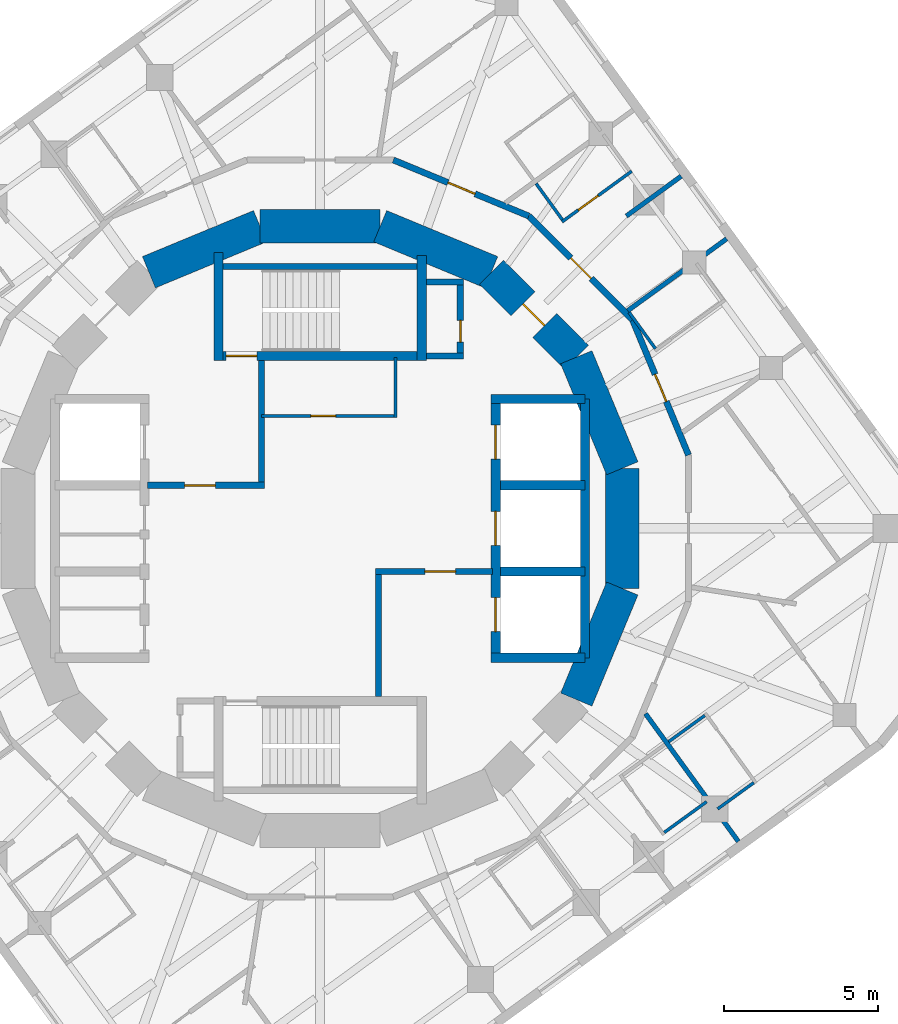
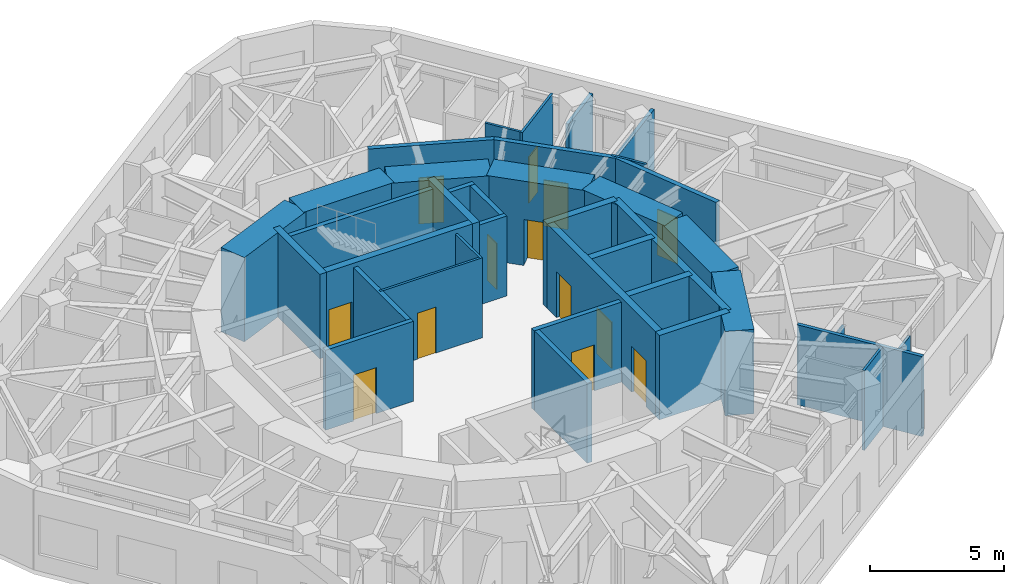
# One storey, part 6 of 9: 38 walls, 13 doors, 13 openings.
"""IFC4 building model written with IfcOpenShell, lengths in metres."""

from ifc_helpers import new_model, si_unit, direction, frame, frame_2d, origin, place, context, subcontext, project, spatial, rectangle, extrude, material, layer, layer_set, type_object, element, fill, save


model = new_model("IFC4")

# Units and contexts
model_context = context("Model", 3, precision=1e-05, world=origin(), true_north=direction((0.0, 1.0)))
body_context = subcontext(model_context, "Body", "Model", "MODEL_VIEW")
ifc_project = project(units=[si_unit("LENGTHUNIT", "METRE"), si_unit("AREAUNIT", "SQUARE_METRE"), si_unit("VOLUMEUNIT", "CUBIC_METRE"), si_unit("PLANEANGLEUNIT", "RADIAN"), si_unit("MASSUNIT", "GRAM", prefix="KILO")], contexts=[model_context])

# Site, building, storey
site_placement = place(None, origin())
site = spatial("IfcSite", under=ifc_project, at=site_placement, CompositionType="ELEMENT")
building_placement = place(site_placement, origin())
building = spatial("IfcBuilding", under=site, at=building_placement, Name="Nakasero Lantern House", CompositionType="ELEMENT")
storey_placement = place(building_placement, frame((0.0, 0.0, 294.550048828125)))
storey = spatial("IfcBuildingStorey", under=building, at=storey_placement, Name="L72", CompositionType="ELEMENT", Elevation=294.550048828125)

# Wall, openings, doors
ifc_material_1 = material(Name="Concrete C50/60", Category="concrete")
ifc_layer_1 = layer(ifc_material_1, 0.300048828125)
ifc_layer_set_1 = layer_set([ifc_layer_1], Name="Core inner wall 300")
wall_type_1 = type_object("IfcWallType", Name="Core inner wall 300", PredefinedType="SHEAR", material=ifc_layer_set_1)
wall_1_placement = place(storey_placement, frame((5.699951171875, -4.199951171875, 0.0), z_axis=(0.0, 0.0, 1.0), x_axis=(0.0, 1.0, 0.0)))
wall_1 = element("IfcWall", 1, at=wall_1_placement, inside=storey, type_object=wall_type_1, Name="Core inner wall L72 LE", PredefinedType="SHEAR", context=body_context, shape_type="SweptSolid", body=[
    extrude(rectangle(XDim=8.39990234375, YDim=0.300048828125, at=frame_2d((4.199951171875, 0.0))), origin(), (0.0, 0.0, 1.0), 3.849853515625),
])
opening_1_placement = place(wall_1_placement, frame((0.85009765625, 0.0, 0.0)))
opening_1 = element("IfcOpeningElement", 2, at=opening_1_placement, cuts=wall_1, Name="Opening LD", PredefinedType="OPENING", context=body_context, shape_type="SweptSolid", body=[
    extrude(rectangle(XDim=1.10009765625, YDim=2.10009765625, at=frame_2d((0.550048828125, 1.050048828125))), frame((0.0, 0.169921875, 0.0), z_axis=(0.0, -1.0, 0.0), x_axis=(1.0, 0.0, 0.0)), (0.0, 0.0, 1.0), 0.340087890625),
])
opening_2_placement = place(wall_1_placement, frame((3.64990234375, 0.0, 0.0)))
opening_2 = element("IfcOpeningElement", 3, at=opening_2_placement, cuts=wall_1, Name="Opening LD", PredefinedType="OPENING", context=body_context, shape_type="SweptSolid", body=[
    extrude(rectangle(XDim=1.10009765625, YDim=2.10009765625, at=frame_2d((0.550048828125, 1.050048828125))), frame((0.0, 0.169921875, 0.0), z_axis=(0.0, -1.0, 0.0), x_axis=(1.0, 0.0, 0.0)), (0.0, 0.0, 1.0), 0.340087890625),
])
opening_3_placement = place(wall_1_placement, frame((6.449951171875, 0.0, 0.0)))
opening_3 = element("IfcOpeningElement", 4, at=opening_3_placement, cuts=wall_1, Name="Opening LD", PredefinedType="OPENING", context=body_context, shape_type="SweptSolid", body=[
    extrude(rectangle(XDim=1.10009765625, YDim=2.10009765625, at=frame_2d((0.550048828125, 1.050048828125))), frame((0.0, 0.169921875, 0.0), z_axis=(0.0, -1.0, 0.0), x_axis=(1.0, 0.0, 0.0)), (0.0, 0.0, 1.0), 0.340087890625),
])
ifc_material_2 = material(Name="Steel S355", Category="steel")
door_type_1 = type_object("IfcDoorType", Name="Lift landing door E120 1100", OperationType="SLIDING_TO_LEFT", PredefinedType="DOOR", material=ifc_material_2)
door_1_placement = place(opening_1_placement, origin())
door_1 = element("IfcDoor", 5, at=door_1_placement, inside=storey, type_object=door_type_1, Name="Lift landing door LE1", OperationType="SLIDING_TO_LEFT", OverallHeight=2.10009765625, OverallWidth=1.10009765625, PredefinedType="DOOR", context=body_context, shape_type="SweptSolid", body=[
    extrude(rectangle(XDim=1.10009765625, YDim=2.10009765625, at=frame_2d((0.550048828125, 1.050048828125))), frame((0.0, 0.02490234375, 0.0), z_axis=(0.0, -1.0, 0.0), x_axis=(1.0, 0.0, 0.0)), (0.0, 0.0, 1.0), 0.050048828125),
])
fill(opening_1, door_1)
door_2_placement = place(opening_2_placement, origin())
door_2 = element("IfcDoor", 6, at=door_2_placement, inside=storey, type_object=door_type_1, Name="Lift landing door LE2", OperationType="SLIDING_TO_LEFT", OverallHeight=2.10009765625, OverallWidth=1.10009765625, PredefinedType="DOOR", context=body_context, shape_type="SweptSolid", body=[
    extrude(rectangle(XDim=1.10009765625, YDim=2.10009765625, at=frame_2d((0.550048828125, 1.050048828125))), frame((0.0, 0.02490234375, 0.0), z_axis=(0.0, -1.0, 0.0), x_axis=(1.0, 0.0, 0.0)), (0.0, 0.0, 1.0), 0.050048828125),
])
fill(opening_2, door_2)
door_3_placement = place(opening_3_placement, origin())
door_3 = element("IfcDoor", 7, at=door_3_placement, inside=storey, type_object=door_type_1, Name="Lift landing door LE3", OperationType="SLIDING_TO_LEFT", OverallHeight=2.10009765625, OverallWidth=1.10009765625, PredefinedType="DOOR", context=body_context, shape_type="SweptSolid", body=[
    extrude(rectangle(XDim=1.10009765625, YDim=2.10009765625, at=frame_2d((0.550048828125, 1.050048828125))), frame((0.0, 0.02490234375, 0.0), z_axis=(0.0, -1.0, 0.0), x_axis=(1.0, 0.0, 0.0)), (0.0, 0.0, 1.0), 0.050048828125),
])
fill(opening_3, door_3)

# Walls
for number, where, z_axis, x_axis, name in (
    (8, (5.550048828125, 4.199951171875, 0.0), (0.0, 0.0, 1.0), (1.0, 0.0, 0.0), "Core inner wall L72 LEN"),
    (9, (5.550048828125, -4.199951171875, 0.0), (0.0, 0.0, 1.0), (1.0, 0.0, 0.0), "Core inner wall L72 LES"),
):
    element("IfcWall", number, at=place(storey_placement, frame(where, z_axis=z_axis, x_axis=x_axis)), inside=storey, type_object=wall_type_1, Name=name, PredefinedType="SHEAR", context=body_context, shape_type="SweptSolid", body=[
        extrude(rectangle(XDim=3.050048828125, YDim=0.300048828125, at=frame_2d((1.52490234375, 0.0))), origin(), (0.0, 0.0, 1.0), 3.849853515625),
    ])
wall_2_placement = place(storey_placement, frame((8.60009765625, -4.199951171875, 0.0), z_axis=(0.0, 0.0, 1.0), x_axis=(0.0, 1.0, 0.0)))
element("IfcWall", 10, at=wall_2_placement, inside=storey, type_object=wall_type_1, Name="Core inner wall L72 LEB", PredefinedType="SHEAR", context=body_context, shape_type="SweptSolid", body=[
    extrude(rectangle(XDim=8.39990234375, YDim=0.300048828125, at=frame_2d((4.199951171875, 0.0))), origin(), (0.0, 0.0, 1.0), 3.849853515625),
])
for number, where, z_axis, x_axis, name in (
    (11, (5.85009765625, -1.39990234375, 0.0), (0.0, 0.0, 1.0), (1.0, 0.0, 0.0), "Core inner wall L72 LE1"),
    (12, (5.85009765625, 1.39990234375, 0.0), (0.0, 0.0, 1.0), (1.0, 0.0, 0.0), "Core inner wall L72 LE2"),
):
    element("IfcWall", number, at=place(storey_placement, frame(where, z_axis=z_axis, x_axis=x_axis)), inside=storey, type_object=wall_type_1, Name=name, PredefinedType="SHEAR", context=body_context, shape_type="SweptSolid", body=[
        extrude(rectangle(XDim=2.75, YDim=0.300048828125, at=frame_2d((1.375, 0.0))), origin(), (0.0, 0.0, 1.0), 3.849853515625),
    ])

# Wall, opening, door
wall_3_placement = place(storey_placement, frame((-3.449951171875, 5.60009765625, 0.0), z_axis=(0.0, 0.0, 1.0), x_axis=(1.0, 0.0, 0.0)))
wall_3 = element("IfcWall", 13, at=wall_3_placement, inside=storey, type_object=wall_type_1, Name="Core inner wall L72 SN", PredefinedType="SHEAR", context=body_context, shape_type="SweptSolid", body=[
    extrude(rectangle(XDim=6.89990234375, YDim=0.300048828125, at=frame_2d((3.449951171875, 0.0))), origin(), (0.0, 0.0, 1.0), 3.849853515625),
])
opening_4_placement = place(wall_3_placement, frame((0.39990234375, 0.0, 0.0)))
opening_4 = element("IfcOpeningElement", 14, at=opening_4_placement, cuts=wall_3, Name="Opening D05", PredefinedType="OPENING", context=body_context, shape_type="SweptSolid", body=[
    extrude(rectangle(XDim=1.0, YDim=2.10009765625, at=frame_2d((0.5, 1.050048828125))), frame((0.0, 0.169921875, 0.0), z_axis=(0.0, -1.0, 0.0), x_axis=(1.0, 0.0, 0.0)), (0.0, 0.0, 1.0), 0.340087890625),
])
ifc_material_3 = material(Name="Timber C24", Category="wood")
door_type_2 = type_object("IfcDoorType", Name="Core door FD60S 1000", OperationType="SINGLE_SWING_LEFT", PredefinedType="DOOR", material=ifc_material_3)
door_4_placement = place(opening_4_placement, origin())
door_4 = element("IfcDoor", 15, at=door_4_placement, inside=storey, type_object=door_type_2, Name="Door L72 D-ST1", OperationType="SINGLE_SWING_LEFT", OverallHeight=2.10009765625, OverallWidth=1.0, PredefinedType="DOOR", context=body_context, shape_type="SweptSolid", body=[
    extrude(rectangle(XDim=1.0, YDim=2.10009765625, at=frame_2d((0.5, 1.050048828125))), frame((0.0, 0.02490234375, 0.0), z_axis=(0.0, -1.0, 0.0), x_axis=(1.0, 0.0, 0.0)), (0.0, 0.0, 1.0), 0.050048828125),
])
fill(opening_4, door_4)

# Walls
wall_4_placement = place(storey_placement, frame((-3.300048828125, 5.449951171875, 0.0), z_axis=(0.0, 0.0, 1.0), x_axis=(0.0, 1.0, 0.0)))
element("IfcWall", 16, at=wall_4_placement, inside=storey, type_object=wall_type_1, Name="Core inner wall L72 SNW", PredefinedType="SHEAR", context=body_context, shape_type="SweptSolid", body=[
    extrude(rectangle(XDim=3.5, YDim=0.300048828125, at=frame_2d((1.75, 0.0))), origin(), (0.0, 0.0, 1.0), 3.849853515625),
])
wall_5_placement = place(storey_placement, frame((3.300048828125, 5.449951171875, 0.0), z_axis=(0.0, 0.0, 1.0), x_axis=(0.0, 1.0, 0.0)))
element("IfcWall", 17, at=wall_5_placement, inside=storey, type_object=wall_type_1, Name="Core inner wall L72 SNE", PredefinedType="SHEAR", context=body_context, shape_type="SweptSolid", body=[
    extrude(rectangle(XDim=3.400146484375, YDim=0.300048828125, at=frame_2d((1.7001953125, 0.0))), origin(), (0.0, 0.0, 1.0), 3.849853515625),
])

# Wall, opening, door
ifc_material_4 = material(Name="Blockwork", Category="masonry")
ifc_layer_2 = layer(ifc_material_4, 0.10009765625)
ifc_layer_set_2 = layer_set([ifc_layer_2], Name="Core room wall 100")
wall_type_2 = type_object("IfcWallType", Name="Core room wall 100", PredefinedType="PARTITIONING", material=ifc_layer_set_2)
wall_6_placement = place(storey_placement, frame((-1.89990234375, 3.64990234375, 0.0), z_axis=(0.0, 0.0, 1.0), x_axis=(1.0, 0.0, 0.0)))
wall_6 = element("IfcWall", 18, at=wall_6_placement, inside=storey, type_object=wall_type_2, Name="Core room wall L72 CR-NES", PredefinedType="PARTITIONING", context=body_context, shape_type="SweptSolid", body=[
    extrude(rectangle(XDim=4.39990234375, YDim=0.10009765625, at=frame_2d((2.199951171875, 0.0))), origin(), (0.0, 0.0, 1.0), 3.64990234375),
])
opening_5_placement = place(wall_6_placement, frame((1.60009765625, 0.0, 0.0)))
opening_5 = element("IfcOpeningElement", 19, at=opening_5_placement, cuts=wall_6, Name="Opening D15", PredefinedType="OPENING", context=body_context, shape_type="SweptSolid", body=[
    extrude(rectangle(XDim=0.800048828125, YDim=2.10009765625, at=frame_2d((0.39990234375, 1.050048828125))), frame((0.0, 0.070068359375, 0.0), z_axis=(0.0, -1.0, 0.0), x_axis=(1.0, 0.0, 0.0)), (0.0, 0.0, 1.0), 0.14013671875),
])
ifc_material_5 = material(Name="Timber C24", Category="wood")
door_type_3 = type_object("IfcDoorType", Name="Cleaner's store door FD30S 800", OperationType="SINGLE_SWING_LEFT", PredefinedType="DOOR", material=ifc_material_5)
door_5_placement = place(opening_5_placement, origin())
door_5 = element("IfcDoor", 20, at=door_5_placement, inside=storey, type_object=door_type_3, Name="Door L72 D-CR-NE", OperationType="SINGLE_SWING_LEFT", OverallHeight=2.10009765625, OverallWidth=0.800048828125, PredefinedType="DOOR", context=body_context, shape_type="SweptSolid", body=[
    extrude(rectangle(XDim=0.800048828125, YDim=2.10009765625, at=frame_2d((0.39990234375, 1.050048828125))), frame((0.0, 0.02490234375, 0.0), z_axis=(0.0, -1.0, 0.0), x_axis=(1.0, 0.0, 0.0)), (0.0, 0.0, 1.0), 0.050048828125),
])
fill(opening_5, door_5)

# Walls
wall_7_placement = place(storey_placement, frame((2.449951171875, 3.60009765625, 0.0), z_axis=(0.0, 0.0, 1.0), x_axis=(0.0, 1.0, 0.0)))
element("IfcWall", 21, at=wall_7_placement, inside=storey, type_object=wall_type_2, Name="Core room wall L72 CR-NEE", PredefinedType="PARTITIONING", context=body_context, shape_type="SweptSolid", body=[
    extrude(rectangle(XDim=1.949951171875, YDim=0.10009765625, at=frame_2d((0.97509765625, 0.0))), origin(), (0.0, 0.0, 1.0), 3.64990234375),
])
ifc_material_6 = material(Name="Concrete C50/60", Category="concrete")
ifc_layer_3 = layer(ifc_material_6, 1.10009765625)
ifc_layer_set_3 = layer_set([ifc_layer_3], Name="Core wall 1100")
wall_type_3 = type_object("IfcWallType", Name="Core wall 1100", PredefinedType="SHEAR", material=ifc_layer_set_3)
wall_8_placement = place(storey_placement, frame((9.807861328125, 1.950927734375, 0.0), z_axis=(0.0, 0.0, 1.0), x_axis=(-0.382690736062, 0.923876507187, 0.0)))
element("IfcWall", 22, at=wall_8_placement, inside=storey, type_object=wall_type_3, Name="Core wall L72 facet 1", PredefinedType="SHEAR", context=body_context, shape_type="SweptSolid", body=[
    extrude(rectangle(XDim=3.90185546875, YDim=1.10009765625, at=frame_2d((1.950927734375, 0.0))), origin(), (0.0, 0.0, 1.0), 3.849853515625),
])

# Wall, opening, door
wall_9_placement = place(storey_placement, frame((8.314697265625, 5.5556640625, 0.0), z_axis=(0.0, 0.0, 1.0), x_axis=(-0.707106781187, 0.707106781187, 0.0)))
wall_9 = element("IfcWall", 23, at=wall_9_placement, inside=storey, type_object=wall_type_3, Name="Core wall L72 facet 2", PredefinedType="SHEAR", context=body_context, shape_type="SweptSolid", body=[
    extrude(rectangle(XDim=3.90185546875, YDim=1.10009765625, at=frame_2d((1.950927734375, 0.0))), origin(), (0.0, 0.0, 1.0), 3.849853515625),
])
opening_6_placement = place(wall_9_placement, frame((1.450927734375, 0.0, 0.0)))
opening_6 = element("IfcOpeningElement", 24, at=opening_6_placement, cuts=wall_9, Name="Opening D05", PredefinedType="OPENING", context=body_context, shape_type="SweptSolid", body=[
    extrude(rectangle(XDim=1.0, YDim=2.10009765625, at=frame_2d((0.5, 1.050048828125))), frame((0.0, 0.570068359375, 0.0), z_axis=(0.0, -1.0, 0.0), x_axis=(1.0, 0.0, 0.0)), (0.0, 0.0, 1.0), 1.14013671875),
])
door_6_placement = place(opening_6_placement, origin())
door_6 = element("IfcDoor", 25, at=door_6_placement, inside=storey, type_object=door_type_2, Name="Door L72 D-CORE02", OperationType="SINGLE_SWING_LEFT", OverallHeight=2.10009765625, OverallWidth=1.0, PredefinedType="DOOR", context=body_context, shape_type="SweptSolid", body=[
    extrude(rectangle(XDim=1.0, YDim=2.10009765625, at=frame_2d((0.5, 1.050048828125))), frame((0.0, 0.02490234375, 0.0), z_axis=(0.0, -1.0, 0.0), x_axis=(1.0, 0.0, 0.0)), (0.0, 0.0, 1.0), 0.050048828125),
])
fill(opening_6, door_6)

# Walls
for number, where, z_axis, x_axis, name in (
    (26, (5.5556640625, 8.314697265625, 0.0), (0.0, 0.0, 1.0), (-0.923876507187, 0.382690736062, 0.0), "Core wall L72 facet 3"),
    (27, (1.950927734375, 9.807861328125, 0.0), (0.0, 0.0, 1.0), (-1.0, 0.0, 0.0), "Core wall L72 facet 4"),
    (28, (-1.950927734375, 9.807861328125, 0.0), (0.0, 0.0, 1.0), (-0.923876507187, -0.382690736062, 0.0), "Core wall L72 facet 5"),
    (29, (8.314697265625, -5.5556640625, 0.0), (0.0, 0.0, 1.0), (0.382690736062, 0.923876507187, 0.0), "Core wall L72 facet 15"),
    (30, (9.807861328125, -1.950927734375, 0.0), (0.0, 0.0, 1.0), (0.0, 1.0, 0.0), "Core wall L72 facet 16"),
):
    element("IfcWall", number, at=place(storey_placement, frame(where, z_axis=z_axis, x_axis=x_axis)), inside=storey, type_object=wall_type_3, Name=name, PredefinedType="SHEAR", context=body_context, shape_type="SweptSolid", body=[
        extrude(rectangle(XDim=3.90185546875, YDim=1.10009765625, at=frame_2d((1.950927734375, 0.0))), origin(), (0.0, 0.0, 1.0), 3.849853515625),
    ])

# Wall, opening, door
ifc_material_7 = material(Name="Blockwork", Category="masonry")
ifc_layer_4 = layer(ifc_material_7, 0.199951171875)
ifc_layer_set_4 = layer_set([ifc_layer_4], Name="Corridor wall 200")
wall_type_4 = type_object("IfcWallType", Name="Corridor wall 200", PredefinedType="PARTITIONING", material=ifc_layer_set_4)
wall_10_placement = place(storey_placement, frame((2.378662109375, 11.957763671875, 0.0), z_axis=(0.0, 0.0, 1.0), x_axis=(0.923891735412, -0.382653970627, 0.0)))
wall_10 = element("IfcWall", 31, at=wall_10_placement, inside=storey, type_object=wall_type_4, Name="Corridor wall L72 RC13a", PredefinedType="PARTITIONING", context=body_context, shape_type="SweptSolid", body=[
    extrude(rectangle(XDim=4.757080078125, YDim=0.199951171875, at=frame_2d((2.37841796875, 0.0))), origin(), (0.0, 0.0, 1.0), 3.64990234375),
])
opening_7_placement = place(wall_10_placement, frame((1.919921875, 0.0, 0.0)))
opening_7 = element("IfcOpeningElement", 32, at=opening_7_placement, cuts=wall_10, Name="Opening D01", PredefinedType="OPENING", context=body_context, shape_type="SweptSolid", body=[
    extrude(rectangle(XDim=0.949951171875, YDim=2.10009765625, at=frame_2d((0.47509765625, 1.050048828125))), frame((0.0, 0.119873046875, 0.0), z_axis=(0.0, -1.0, 0.0), x_axis=(1.0, 0.0, 0.0)), (0.0, 0.0, 1.0), 0.239990234375),
])
ifc_material_8 = material(Name="Timber C24", Category="wood")
door_type_4 = type_object("IfcDoorType", Name="Bedroom door FD30S 950", OperationType="SINGLE_SWING_LEFT", PredefinedType="DOOR", material=ifc_material_8)
door_7_placement = place(opening_7_placement, origin())
door_7 = element("IfcDoor", 33, at=door_7_placement, inside=storey, type_object=door_type_4, Name="Door L72 D0-06", OperationType="SINGLE_SWING_RIGHT", OverallHeight=2.10009765625, OverallWidth=0.949951171875, PredefinedType="DOOR", context=body_context, shape_type="SweptSolid", body=[
    extrude(rectangle(XDim=0.949951171875, YDim=2.10009765625, at=frame_2d((0.47509765625, 1.050048828125))), frame((0.0, 0.02490234375, 0.0), z_axis=(0.0, -1.0, 0.0), x_axis=(1.0, 0.0, 0.0)), (0.0, 0.0, 1.0), 0.050048828125),
])
fill(opening_7, door_7)

wall_11_placement = place(storey_placement, frame((6.773681640625, 10.137451171875, 0.0), z_axis=(0.0, 0.0, 1.0), x_axis=(0.707106781187, -0.707106781187, 0.0)))
wall_11 = element("IfcWall", 34, at=wall_11_placement, inside=storey, type_object=wall_type_4, Name="Corridor wall L72 RC14a", PredefinedType="PARTITIONING", context=body_context, shape_type="SweptSolid", body=[
    extrude(rectangle(XDim=4.757080078125, YDim=0.199951171875, at=frame_2d((2.37841796875, 0.0))), origin(), (0.0, 0.0, 1.0), 3.64990234375),
])
opening_8_placement = place(wall_11_placement, frame((1.919921875, 0.0, 0.0)))
opening_8 = element("IfcOpeningElement", 35, at=opening_8_placement, cuts=wall_11, Name="Opening D01", PredefinedType="OPENING", context=body_context, shape_type="SweptSolid", body=[
    extrude(rectangle(XDim=0.949951171875, YDim=2.10009765625, at=frame_2d((0.47509765625, 1.050048828125))), frame((0.0, 0.119873046875, 0.0), z_axis=(0.0, -1.0, 0.0), x_axis=(1.0, 0.0, 0.0)), (0.0, 0.0, 1.0), 0.239990234375),
])
door_8_placement = place(opening_8_placement, origin())
door_8 = element("IfcDoor", 36, at=door_8_placement, inside=storey, type_object=door_type_4, Name="Door L72 D0-04", OperationType="SINGLE_SWING_RIGHT", OverallHeight=2.10009765625, OverallWidth=0.949951171875, PredefinedType="DOOR", context=body_context, shape_type="SweptSolid", body=[
    extrude(rectangle(XDim=0.949951171875, YDim=2.10009765625, at=frame_2d((0.47509765625, 1.050048828125))), frame((0.0, 0.02490234375, 0.0), z_axis=(0.0, -1.0, 0.0), x_axis=(1.0, 0.0, 0.0)), (0.0, 0.0, 1.0), 0.050048828125),
])
fill(opening_8, door_8)

wall_12_placement = place(storey_placement, frame((10.137451171875, 6.773681640625, 0.0), z_axis=(0.0, 0.0, 1.0), x_axis=(0.382653970627, -0.923891735412, 0.0)))
wall_12 = element("IfcWall", 37, at=wall_12_placement, inside=storey, type_object=wall_type_4, Name="Corridor wall L72 RC15a", PredefinedType="PARTITIONING", context=body_context, shape_type="SweptSolid", body=[
    extrude(rectangle(XDim=4.757080078125, YDim=0.199951171875, at=frame_2d((2.37841796875, 0.0))), origin(), (0.0, 0.0, 1.0), 3.64990234375),
])
opening_9_placement = place(wall_12_placement, frame((1.919921875, 0.0, 0.0)))
opening_9 = element("IfcOpeningElement", 38, at=opening_9_placement, cuts=wall_12, Name="Opening D01", PredefinedType="OPENING", context=body_context, shape_type="SweptSolid", body=[
    extrude(rectangle(XDim=0.949951171875, YDim=2.10009765625, at=frame_2d((0.47509765625, 1.050048828125))), frame((0.0, 0.119873046875, 0.0), z_axis=(0.0, -1.0, 0.0), x_axis=(1.0, 0.0, 0.0)), (0.0, 0.0, 1.0), 0.239990234375),
])
door_9_placement = place(opening_9_placement, origin())
door_9 = element("IfcDoor", 39, at=door_9_placement, inside=storey, type_object=door_type_4, Name="Door L72 D0-03", OperationType="SINGLE_SWING_RIGHT", OverallHeight=2.10009765625, OverallWidth=0.949951171875, PredefinedType="DOOR", context=body_context, shape_type="SweptSolid", body=[
    extrude(rectangle(XDim=0.949951171875, YDim=2.10009765625, at=frame_2d((0.47509765625, 1.050048828125))), frame((0.0, 0.02490234375, 0.0), z_axis=(0.0, -1.0, 0.0), x_axis=(1.0, 0.0, 0.0)), (0.0, 0.0, 1.0), 0.050048828125),
])
fill(opening_9, door_9)

# Wall
ifc_material_9 = material(Name="Blockwork", Category="masonry")
ifc_layer_5 = layer(ifc_material_9, 0.10009765625)
ifc_layer_set_5 = layer_set([ifc_layer_5], Name="En-suite wall 100")
wall_type_5 = type_object("IfcWallType", Name="En-suite wall 100", PredefinedType="PARTITIONING", material=ifc_layer_set_5)
wall_13_placement = place(storey_placement, frame((10.883544921875, 5.8349609375, 0.0), z_axis=(0.0, 0.0, 1.0), x_axis=(-0.587781191743, 0.809019944521, 0.0)))
element("IfcWall", 40, at=wall_13_placement, inside=storey, type_object=wall_type_5, Name="En-suite wall L72 EI0-03", PredefinedType="PARTITIONING", context=body_context, shape_type="SweptSolid", body=[
    extrude(rectangle(XDim=1.449951171875, YDim=0.10009765625, at=frame_2d((0.72509765625, 0.0))), origin(), (0.0, 0.0, 1.0), 3.64990234375),
])

# Wall, opening, door
wall_14_placement = place(storey_placement, frame((7.851318359375, 9.949462890625, 0.0), z_axis=(0.0, 0.0, 1.0), x_axis=(0.809011254605, 0.587793152327, 0.0)))
wall_14 = element("IfcWall", 41, at=wall_14_placement, inside=storey, type_object=wall_type_5, Name="En-suite wall L72 ES0-04", PredefinedType="PARTITIONING", context=body_context, shape_type="SweptSolid", body=[
    extrude(rectangle(XDim=2.7998046875, YDim=0.10009765625, at=frame_2d((1.39990234375, 0.0))), origin(), (0.0, 0.0, 1.0), 3.64990234375),
])
opening_10_placement = place(wall_14_placement, frame((0.64990234375, 0.0, 0.0)))
opening_10 = element("IfcOpeningElement", 42, at=opening_10_placement, cuts=wall_14, Name="Opening D02", PredefinedType="OPENING", context=body_context, shape_type="SweptSolid", body=[
    extrude(rectangle(XDim=0.800048828125, YDim=2.10009765625, at=frame_2d((0.39990234375, 1.050048828125))), frame((0.0, 0.070068359375, 0.0), z_axis=(0.0, -1.0, 0.0), x_axis=(1.0, 0.0, 0.0)), (0.0, 0.0, 1.0), 0.14013671875),
])
ifc_material_10 = material(Name="Timber C24", Category="wood")
door_type_5 = type_object("IfcDoorType", Name="En-suite door 800", OperationType="SINGLE_SWING_RIGHT", PredefinedType="DOOR", material=ifc_material_10)
door_10_placement = place(opening_10_placement, origin())
door_10 = element("IfcDoor", 43, at=door_10_placement, inside=storey, type_object=door_type_5, Name="Door L72 DE0-04", OperationType="SINGLE_SWING_LEFT", OverallHeight=2.10009765625, OverallWidth=0.800048828125, PredefinedType="DOOR", context=body_context, shape_type="SweptSolid", body=[
    extrude(rectangle(XDim=0.800048828125, YDim=2.10009765625, at=frame_2d((0.39990234375, 1.050048828125))), frame((0.0, 0.02490234375, 0.0), z_axis=(0.0, -1.0, 0.0), x_axis=(1.0, 0.0, 0.0)), (0.0, 0.0, 1.0), 0.050048828125),
])
fill(opening_10, door_10)

# Walls
wall_15_placement = place(storey_placement, frame((7.8623046875, 10.019287109375, 0.0), z_axis=(0.0, 0.0, 1.0), x_axis=(-0.587781191743, 0.809019944521, 0.0)))
element("IfcWall", 44, at=wall_15_placement, inside=storey, type_object=wall_type_5, Name="En-suite wall L72 EI0-04", PredefinedType="PARTITIONING", context=body_context, shape_type="SweptSolid", body=[
    extrude(rectangle(XDim=1.449951171875, YDim=0.10009765625, at=frame_2d((0.72509765625, 0.0))), origin(), (0.0, 0.0, 1.0), 3.64990234375),
])
wall_16_placement = place(storey_placement, frame((11.1689453125, -9.8701171875, 0.0), z_axis=(0.0, 0.0, 1.0), x_axis=(0.809040252033, 0.58775323954, 0.0)))
element("IfcWall", 45, at=wall_16_placement, inside=storey, type_object=wall_type_5, Name="En-suite wall L72 EE3-04", PredefinedType="PARTITIONING", context=body_context, shape_type="SweptSolid", body=[
    extrude(rectangle(XDim=1.7001953125, YDim=0.10009765625, at=frame_2d((0.85009765625, 0.0))), origin(), (0.0, 0.0, 1.0), 3.64990234375),
])
wall_17_placement = place(storey_placement, frame((12.90087890625, -9.106201171875, 0.0), z_axis=(0.0, 0.0, 1.0), x_axis=(0.809019944521, 0.587781191743, 0.0)))
element("IfcWall", 46, at=wall_17_placement, inside=storey, type_object=wall_type_5, Name="En-suite wall L72 EE3-06", PredefinedType="PARTITIONING", context=body_context, shape_type="SweptSolid", body=[
    extrude(rectangle(XDim=1.449951171875, YDim=0.10009765625, at=frame_2d((0.72509765625, 0.0))), origin(), (0.0, 0.0, 1.0), 3.24365234375),
])
wall_18_placement = place(storey_placement, frame((11.313720703125, -6.921875, 0.0), z_axis=(0.0, 0.0, 1.0), x_axis=(0.809019944521, 0.587781191743, 0.0)))
element("IfcWall", 47, at=wall_18_placement, inside=storey, type_object=wall_type_5, Name="En-suite wall L72 EI3-06", PredefinedType="PARTITIONING", context=body_context, shape_type="SweptSolid", body=[
    extrude(rectangle(XDim=1.449951171875, YDim=0.10009765625, at=frame_2d((0.72509765625, 0.0))), origin(), (0.0, 0.0, 1.0), 2.966552734375),
])

# Wall, opening, door
ifc_material_11 = material(Name="Blockwork", Category="masonry")
ifc_layer_6 = layer(ifc_material_11, 0.199951171875)
ifc_layer_set_6 = layer_set([ifc_layer_6], Name="Fire lobby wall 200")
wall_type_6 = type_object("IfcWallType", Name="Fire lobby wall 200", PredefinedType="PARTITIONING", material=ifc_layer_set_6)
wall_19_placement = place(storey_placement, frame((-5.60009765625, 1.39990234375, 0.0), z_axis=(0.0, 0.0, 1.0), x_axis=(1.0, 0.0, 0.0)))
wall_19 = element("IfcWall", 48, at=wall_19_placement, inside=storey, type_object=wall_type_6, Name="Fire lobby wall L72 W-FL1S", PredefinedType="PARTITIONING", context=body_context, shape_type="SweptSolid", body=[
    extrude(rectangle(XDim=3.800048828125, YDim=0.199951171875, at=frame_2d((1.89990234375, 0.0))), origin(), (0.0, 0.0, 1.0), 3.64990234375),
])
opening_11_placement = place(wall_19_placement, frame((1.199951171875, 0.0, 0.0)))
opening_11 = element("IfcOpeningElement", 49, at=opening_11_placement, cuts=wall_19, Name="Opening D05", PredefinedType="OPENING", context=body_context, shape_type="SweptSolid", body=[
    extrude(rectangle(XDim=1.0, YDim=2.10009765625, at=frame_2d((0.5, 1.050048828125))), frame((0.0, 0.119873046875, 0.0), z_axis=(0.0, -1.0, 0.0), x_axis=(1.0, 0.0, 0.0)), (0.0, 0.0, 1.0), 0.239990234375),
])
door_11_placement = place(opening_11_placement, origin())
door_11 = element("IfcDoor", 50, at=door_11_placement, inside=storey, type_object=door_type_2, Name="Door L72 D-FL1", OperationType="SINGLE_SWING_LEFT", OverallHeight=2.10009765625, OverallWidth=1.0, PredefinedType="DOOR", context=body_context, shape_type="SweptSolid", body=[
    extrude(rectangle(XDim=1.0, YDim=2.10009765625, at=frame_2d((0.5, 1.050048828125))), frame((0.0, 0.02490234375, 0.0), z_axis=(0.0, -1.0, 0.0), x_axis=(1.0, 0.0, 0.0)), (0.0, 0.0, 1.0), 0.050048828125),
])
fill(opening_11, door_11)

# Wall
wall_20_placement = place(storey_placement, frame((-1.89990234375, 1.5, 0.0), z_axis=(0.0, 0.0, 1.0), x_axis=(0.0, 1.0, 0.0)))
element("IfcWall", 51, at=wall_20_placement, inside=storey, type_object=wall_type_6, Name="Fire lobby wall L72 W-FL1E", PredefinedType="PARTITIONING", context=body_context, shape_type="SweptSolid", body=[
    extrude(rectangle(XDim=3.949951171875, YDim=0.199951171875, at=frame_2d((1.97509765625, 0.0))), origin(), (0.0, 0.0, 1.0), 3.64990234375),
])

# Wall, opening, door
wall_21_placement = place(storey_placement, frame((5.60009765625, -1.39990234375, 0.0), z_axis=(0.0, 0.0, 1.0), x_axis=(-1.0, 0.0, 0.0)))
wall_21 = element("IfcWall", 52, at=wall_21_placement, inside=storey, type_object=wall_type_6, Name="Fire lobby wall L72 W-FL2N", PredefinedType="PARTITIONING", context=body_context, shape_type="SweptSolid", body=[
    extrude(rectangle(XDim=3.800048828125, YDim=0.199951171875, at=frame_2d((1.89990234375, 0.0))), origin(), (0.0, 0.0, 1.0), 3.64990234375),
])
opening_12_placement = place(wall_21_placement, frame((1.199951171875, 0.0, 0.0)))
opening_12 = element("IfcOpeningElement", 53, at=opening_12_placement, cuts=wall_21, Name="Opening D05", PredefinedType="OPENING", context=body_context, shape_type="SweptSolid", body=[
    extrude(rectangle(XDim=1.0, YDim=2.10009765625, at=frame_2d((0.5, 1.050048828125))), frame((0.0, 0.119873046875, 0.0), z_axis=(0.0, -1.0, 0.0), x_axis=(1.0, 0.0, 0.0)), (0.0, 0.0, 1.0), 0.239990234375),
])
door_12_placement = place(opening_12_placement, origin())
door_12 = element("IfcDoor", 54, at=door_12_placement, inside=storey, type_object=door_type_2, Name="Door L72 D-FL2", OperationType="SINGLE_SWING_LEFT", OverallHeight=2.10009765625, OverallWidth=1.0, PredefinedType="DOOR", context=body_context, shape_type="SweptSolid", body=[
    extrude(rectangle(XDim=1.0, YDim=2.10009765625, at=frame_2d((0.5, 1.050048828125))), frame((0.0, 0.02490234375, 0.0), z_axis=(0.0, -1.0, 0.0), x_axis=(1.0, 0.0, 0.0)), (0.0, 0.0, 1.0), 0.050048828125),
])
fill(opening_12, door_12)

# Wall
wall_22_placement = place(storey_placement, frame((1.89990234375, -1.5, 0.0), z_axis=(0.0, 0.0, 1.0), x_axis=(0.0, -1.0, 0.0)))
element("IfcWall", 55, at=wall_22_placement, inside=storey, type_object=wall_type_6, Name="Fire lobby wall L72 W-FL2W", PredefinedType="PARTITIONING", context=body_context, shape_type="SweptSolid", body=[
    extrude(rectangle(XDim=3.949951171875, YDim=0.199951171875, at=frame_2d((1.97509765625, 0.0))), origin(), (0.0, 0.0, 1.0), 3.64990234375),
])

# Wall, opening, door
wall_23_placement = place(storey_placement, frame((4.550048828125, 5.60009765625, 0.0), z_axis=(0.0, 0.0, 1.0), x_axis=(0.0, 1.0, 0.0)))
wall_23 = element("IfcWall", 56, at=wall_23_placement, inside=storey, type_object=wall_type_6, Name="Fire lobby wall L72 W-RS1E", PredefinedType="PARTITIONING", context=body_context, shape_type="SweptSolid", body=[
    extrude(rectangle(XDim=2.39990234375, YDim=0.199951171875, at=frame_2d((1.199951171875, 0.0))), origin(), (0.0, 0.0, 1.0), 3.64990234375),
])
opening_13_placement = place(wall_23_placement, frame((0.449951171875, 0.0, 0.0)))
opening_13 = element("IfcOpeningElement", 57, at=opening_13_placement, cuts=wall_23, Name="Opening D06", PredefinedType="OPENING", context=body_context, shape_type="SweptSolid", body=[
    extrude(rectangle(XDim=0.699951171875, YDim=2.10009765625, at=frame_2d((0.35009765625, 1.050048828125))), frame((0.0, 0.119873046875, 0.0), z_axis=(0.0, -1.0, 0.0), x_axis=(1.0, 0.0, 0.0)), (0.0, 0.0, 1.0), 0.239990234375),
])
ifc_material_12 = material(Name="Steel S355", Category="steel")
door_type_6 = type_object("IfcDoorType", Name="Riser door FD60 700", OperationType="SINGLE_SWING_LEFT", PredefinedType="DOOR", material=ifc_material_12)
door_13_placement = place(opening_13_placement, origin())
door_13 = element("IfcDoor", 58, at=door_13_placement, inside=storey, type_object=door_type_6, Name="Door L72 D-RS1", OperationType="SINGLE_SWING_LEFT", OverallHeight=2.10009765625, OverallWidth=0.699951171875, PredefinedType="DOOR", context=body_context, shape_type="SweptSolid", body=[
    extrude(rectangle(XDim=0.699951171875, YDim=2.10009765625, at=frame_2d((0.35009765625, 1.050048828125))), frame((0.0, 0.02490234375, 0.0), z_axis=(0.0, -1.0, 0.0), x_axis=(1.0, 0.0, 0.0)), (0.0, 0.0, 1.0), 0.050048828125),
])
fill(opening_13, door_13)

# Walls
for number, where, z_axis, x_axis, name in (
    (59, (3.449951171875, 8.0, 0.0), (0.0, 0.0, 1.0), (1.0, 0.0, 0.0), "Fire lobby wall L72 W-RS1N"),
    (60, (3.449951171875, 5.60009765625, 0.0), (0.0, 0.0, 1.0), (1.0, 0.0, 0.0), "Fire lobby wall L72 W-RS1S"),
):
    element("IfcWall", number, at=place(storey_placement, frame(where, z_axis=z_axis, x_axis=x_axis)), inside=storey, type_object=wall_type_6, Name=name, PredefinedType="PARTITIONING", context=body_context, shape_type="SweptSolid", body=[
        extrude(rectangle(XDim=1.199951171875, YDim=0.199951171875, at=frame_2d((0.60009765625, 0.0))), origin(), (0.0, 0.0, 1.0), 3.64990234375),
    ])
wall_24_placement = place(storey_placement, frame((-3.300048828125, 8.5, 0.0), z_axis=(0.0, 0.0, 1.0), x_axis=(1.0, 0.0, 0.0)))
element("IfcWall", 61, at=wall_24_placement, inside=storey, type_object=wall_type_6, Name="Fire lobby wall L72 W-STN", PredefinedType="PARTITIONING", context=body_context, shape_type="SweptSolid", body=[
    extrude(rectangle(XDim=6.60009765625, YDim=0.199951171875, at=frame_2d((3.300048828125, 0.0))), origin(), (0.0, 0.0, 1.0), 3.64990234375),
])
ifc_material_13 = material(Name="Blockwork", Category="masonry")
ifc_layer_7 = layer(ifc_material_13, 0.14990234375)
ifc_layer_set_7 = layer_set([ifc_layer_7], Name="Party wall 150")
wall_type_7 = type_object("IfcWallType", Name="Party wall 150", PredefinedType="PARTITIONING", material=ifc_layer_set_7)
wall_25_placement = place(storey_placement, frame((9.939208984375, 10.13818359375, 0.0), z_axis=(0.0, 0.0, 1.0), x_axis=(0.808990345923, 0.587821928992, 0.0)))
element("IfcWall", 62, at=wall_25_placement, inside=storey, type_object=wall_type_7, Name="Party wall L72 PN0-05", PredefinedType="PARTITIONING", context=body_context, shape_type="SweptSolid", body=[
    extrude(rectangle(XDim=2.199951171875, YDim=0.14990234375, at=frame_2d((1.10009765625, 0.0))), origin(), (0.0, 0.0, 1.0), 3.18994140625),
])
wall_26_placement = place(storey_placement, frame((9.985107421875, 7.067138671875, 0.0), z_axis=(0.0, 0.0, 1.0), x_axis=(0.809004739075, 0.587802119896, 0.0)))
element("IfcWall", 63, at=wall_26_placement, inside=storey, type_object=wall_type_7, Name="Party wall L72 PW0-04", PredefinedType="PARTITIONING", context=body_context, shape_type="SweptSolid", body=[
    extrude(rectangle(XDim=3.9677734375, YDim=0.14990234375, at=frame_2d((1.98388671875, 0.0))), origin(), (0.0, 0.0, 1.0), 3.18994140625),
])
wall_27_placement = place(storey_placement, frame((10.560791015625, -6.012939453125, 0.0), z_axis=(0.0, 0.0, 1.0), x_axis=(0.587780977736, -0.809020100005, 0.0)))
element("IfcWall", 64, at=wall_27_placement, inside=storey, type_object=wall_type_7, Name="Party wall L72 PW3-06", PredefinedType="PARTITIONING", context=body_context, shape_type="SweptSolid", body=[
    extrude(rectangle(XDim=5.1279296875, YDim=0.14990234375, at=frame_2d((2.56396484375, 0.0))), origin(), (0.0, 0.0, 1.0), 3.64990234375),
])

save(model, "model.ifc")
